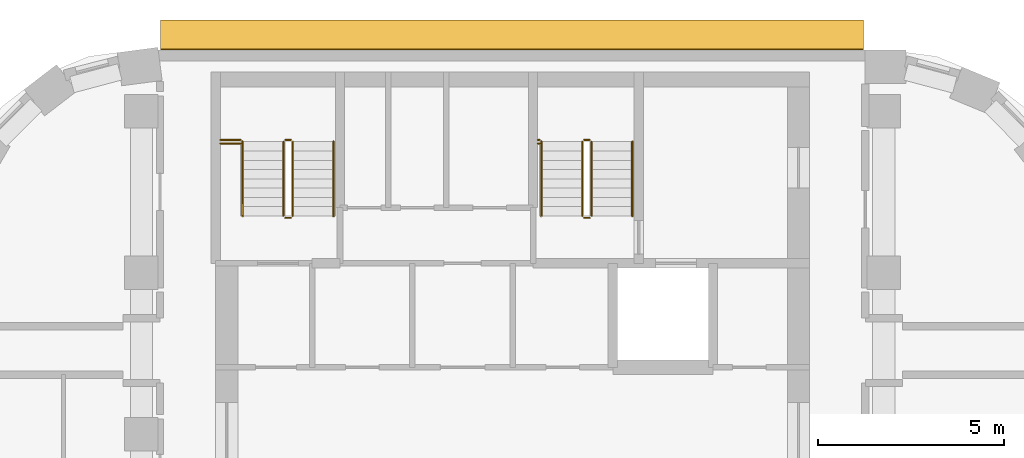
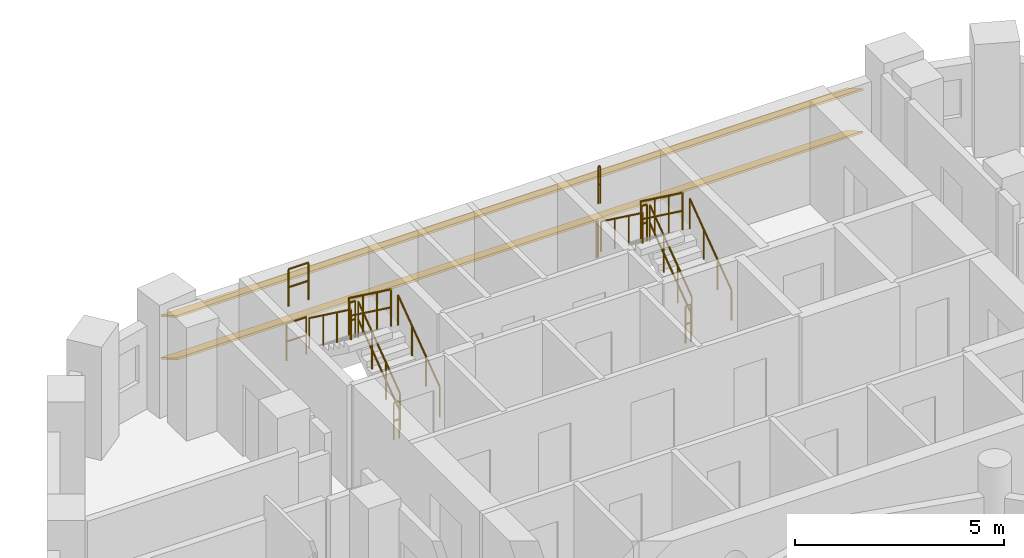
# One storey, part 13 of 13: 16 railings, 2 shading devices.
"""IFC4 building model written with IfcOpenShell, lengths in metres."""

from ifc_helpers import new_model, si_unit, direction, frame, origin, origin_2d, place, context, subcontext, project, spatial, rectangle, circle, extrude, material, material_profile, profile_set, type_object, element, save


model = new_model("IFC4")

# Units and contexts
model_context = context("Model", 3, precision=1e-05, world=origin(), true_north=direction((0.0, 1.0)))
body_context = subcontext(model_context, "Body", "Model", "MODEL_VIEW")
ifc_project = project(units=[si_unit("LENGTHUNIT", "METRE"), si_unit("AREAUNIT", "SQUARE_METRE"), si_unit("VOLUMEUNIT", "CUBIC_METRE"), si_unit("PLANEANGLEUNIT", "RADIAN"), si_unit("MASSUNIT", "GRAM", prefix="KILO")], contexts=[model_context])

# Site, building, storey
site_placement = place(None, origin())
site = spatial("IfcSite", under=ifc_project, at=site_placement, CompositionType="ELEMENT")
building_placement = place(site_placement, origin())
building = spatial("IfcBuilding", under=site, at=building_placement, Name="Nakaniwa Court", CompositionType="ELEMENT")
storey_placement = place(building_placement, frame((0.0, 0.0, 239.39990234375)))
storey = spatial("IfcBuildingStorey", under=building, at=storey_placement, Name="L62", CompositionType="ELEMENT", Elevation=239.39990234375)

# Shading devices
ifc_material_1 = material(Name="Perforated charcoal ceramic louvre blade")
ifc_material_profile = material_profile(ifc_material_1, rectangle(XDim=0.89990234375, YDim=0.050048828125, at=origin_2d()), Name="Perforated ceramic louvre blade")
ifc_profile_set = profile_set([ifc_material_profile], Name="Perforated charcoal ceramic louvre blade")
shading_device_type = type_object("IfcShadingDeviceType", Name="Perforated ceramic louvre blade", PredefinedType="JALOUSIE", material=ifc_profile_set)
for number, where, z_axis, x_axis, name in (
    (1, (89.44921875, 103.05224609375, 0.550048828125), (-1.0, 0.0, 0.0), (0.0, -0.866025403784, 0.5), "L62 perforated ceramic louvre blade w08 1"),
    (2, (89.44921875, 103.05224609375, 1.79345703125), (-1.0, 0.0, 0.0), (0.0, -0.866025403784, 0.5), "L62 perforated ceramic louvre blade w08 2"),
):
    element("IfcShadingDevice", number, at=place(storey_placement, frame(where, z_axis=z_axis, x_axis=x_axis)), inside=storey, type_object=shading_device_type, Name=name, PredefinedType="JALOUSIE", context=body_context, shape_type="SweptSolid", body=[
        extrude(rectangle(XDim=0.89990234375, YDim=0.050048828125, at=origin_2d()), origin(), (0.0, 0.0, 1.0), 18.933349609375),
    ])

# Railings
ifc_material_2 = material(Name="Black powder coated steel guard", Category="steel")
railing_type_1 = type_object("IfcRailingType", Name="Stair guard 1100", PredefinedType="GUARDRAIL", material=ifc_material_2)
railing_1_placement = place(storey_placement, frame((74.074951171875, 98.175048828125, 0.183349609375)))
element("IfcRailing", 3, at=railing_1_placement, inside=storey, type_object=railing_type_1, Name="L62 ST1 stair guard 1", PredefinedType="GUARDRAIL", context=body_context, shape_type="SweptSolid", body=[
    extrude(circle(Radius=0.02392578125, at=origin_2d()), frame((0.0, 0.0, 1.076171875), z_axis=(0.0, 0.806379959628, 0.591397802423), x_axis=(-1.0, 0.0, 0.0)), (0.0, 0.0, 1.0), 2.480224609375),
    extrude(circle(Radius=0.02392578125, at=origin_2d()), frame((0.0, 0.0, 0.550048828125), z_axis=(0.0, 0.806379959628, 0.591397802423), x_axis=(-1.0, 0.0, 0.0)), (0.0, 0.0, 1.0), 2.480224609375),
    extrude(circle(Radius=0.02099609375, at=origin_2d()), origin(), (0.0, 0.0, 1.0), 1.052001953125),
    extrude(circle(Radius=0.02099609375, at=origin_2d()), frame((0.0, 0.666748046875, 0.489013671875)), (0.0, 0.0, 1.0), 1.052001953125),
    extrude(circle(Radius=0.02099609375, at=origin_2d()), frame((0.0, 1.333251953125, 0.977783203125)), (0.0, 0.0, 1.0), 1.052001953125),
    extrude(circle(Radius=0.02099609375, at=origin_2d()), frame((0.0, 2.0, 1.466796875)), (0.0, 0.0, 1.0), 1.052001953125),
])
railing_2_placement = place(storey_placement, frame((74.02490234375, 100.22509765625, 1.650146484375)))
element("IfcRailing", 4, at=railing_2_placement, inside=storey, type_object=railing_type_1, Name="L62 ST1 stair guard 2", PredefinedType="GUARDRAIL", context=body_context, shape_type="SweptSolid", body=[
    extrude(circle(Radius=0.02392578125, at=origin_2d()), frame((0.0, 0.0, 1.076171875), z_axis=(-1.0, 0.0, 0.0), x_axis=(0.0, -1.0, 0.0)), (0.0, 0.0, 1.0), 0.14990234375),
    extrude(circle(Radius=0.02392578125, at=origin_2d()), frame((0.0, 0.0, 0.550048828125), z_axis=(-1.0, 0.0, 0.0), x_axis=(0.0, -1.0, 0.0)), (0.0, 0.0, 1.0), 0.14990234375),
    extrude(circle(Radius=0.02099609375, at=origin_2d()), origin(), (0.0, 0.0, 1.0), 1.052001953125),
    extrude(circle(Radius=0.02099609375, at=origin_2d()), frame((-0.14990234375, 0.0, 0.0)), (0.0, 0.0, 1.0), 1.052001953125),
])
railing_3_placement = place(storey_placement, frame((73.824951171875, 100.175048828125, 1.83349609375)))
element("IfcRailing", 5, at=railing_3_placement, inside=storey, type_object=railing_type_1, Name="L62 ST1 stair guard 3", PredefinedType="GUARDRAIL", context=body_context, shape_type="SweptSolid", body=[
    extrude(circle(Radius=0.02392578125, at=origin_2d()), frame((0.0, 0.0, 1.076171875), z_axis=(0.0, -0.806426902644, 0.591333789573), x_axis=(1.0, 0.0, 0.0)), (0.0, 0.0, 1.0), 2.47998046875),
    extrude(circle(Radius=0.02392578125, at=origin_2d()), frame((0.0, 0.0, 0.550048828125), z_axis=(0.0, -0.806426902644, 0.591333789573), x_axis=(1.0, 0.0, 0.0)), (0.0, 0.0, 1.0), 2.47998046875),
    extrude(circle(Radius=0.02099609375, at=origin_2d()), origin(), (0.0, 0.0, 1.0), 1.052001953125),
    extrude(circle(Radius=0.02099609375, at=origin_2d()), frame((0.0, -0.666748046875, 0.48876953125)), (0.0, 0.0, 1.0), 1.052001953125),
    extrude(circle(Radius=0.02099609375, at=origin_2d()), frame((0.0, -1.333251953125, 0.977783203125)), (0.0, 0.0, 1.0), 1.052001953125),
    extrude(circle(Radius=0.02099609375, at=origin_2d()), frame((0.0, -2.0, 1.466552734375)), (0.0, 0.0, 1.0), 1.052001953125),
])
railing_4_placement = place(storey_placement, frame((74.02490234375, 98.125, 0.0)))
element("IfcRailing", 6, at=railing_4_placement, inside=storey, type_object=railing_type_1, Name="L62 ST1 stair guard 4", PredefinedType="GUARDRAIL", context=body_context, shape_type="SweptSolid", body=[
    extrude(circle(Radius=0.02392578125, at=origin_2d()), frame((0.0, 0.0, 1.076171875), z_axis=(-1.0, 0.0, 0.0), x_axis=(0.0, -1.0, 0.0)), (0.0, 0.0, 1.0), 0.14990234375),
    extrude(circle(Radius=0.02392578125, at=origin_2d()), frame((0.0, 0.0, 0.550048828125), z_axis=(-1.0, 0.0, 0.0), x_axis=(0.0, -1.0, 0.0)), (0.0, 0.0, 1.0), 0.14990234375),
    extrude(circle(Radius=0.02099609375, at=origin_2d()), origin(), (0.0, 0.0, 1.0), 1.052001953125),
    extrude(circle(Radius=0.02099609375, at=origin_2d()), frame((-0.14990234375, 0.0, 0.0)), (0.0, 0.0, 1.0), 1.052001953125),
])
for number, where, name in (
    (7, (72.125, 100.22509765625, 1.650146484375), "L62 ST1 landing side guard 1W"),
    (8, (72.125, 100.125, 3.300048828125), "L62 ST1 floor edge guard 1W"),
):
    element("IfcRailing", number, at=place(storey_placement, frame(where)), inside=storey, type_object=railing_type_1, Name=name, PredefinedType="GUARDRAIL", context=body_context, shape_type="SweptSolid", body=[
        extrude(circle(Radius=0.02392578125, at=origin_2d()), frame((0.0, 0.0, 1.076171875), z_axis=(1.0, 0.0, 0.0), x_axis=(0.0, 1.0, 0.0)), (0.0, 0.0, 1.0), 0.550048828125),
        extrude(circle(Radius=0.02392578125, at=origin_2d()), frame((0.0, 0.0, 0.550048828125), z_axis=(1.0, 0.0, 0.0), x_axis=(0.0, 1.0, 0.0)), (0.0, 0.0, 1.0), 0.550048828125),
        extrude(circle(Radius=0.02099609375, at=origin_2d()), origin(), (0.0, 0.0, 1.0), 1.052001953125),
        extrude(circle(Radius=0.02099609375, at=origin_2d()), frame((0.550048828125, 0.0, 0.0)), (0.0, 0.0, 1.0), 1.052001953125),
    ])
railing_5_placement = place(storey_placement, frame((82.125, 98.175048828125, 0.183349609375)))
element("IfcRailing", 9, at=railing_5_placement, inside=storey, type_object=railing_type_1, Name="L62 ST2 stair guard 1", PredefinedType="GUARDRAIL", context=body_context, shape_type="SweptSolid", body=[
    extrude(circle(Radius=0.02392578125, at=origin_2d()), frame((0.0, 0.0, 1.076171875), z_axis=(0.0, 0.806379959628, 0.591397802423), x_axis=(-1.0, 0.0, 0.0)), (0.0, 0.0, 1.0), 2.480224609375),
    extrude(circle(Radius=0.02392578125, at=origin_2d()), frame((0.0, 0.0, 0.550048828125), z_axis=(0.0, 0.806379959628, 0.591397802423), x_axis=(-1.0, 0.0, 0.0)), (0.0, 0.0, 1.0), 2.480224609375),
    extrude(circle(Radius=0.02099609375, at=origin_2d()), origin(), (0.0, 0.0, 1.0), 1.052001953125),
    extrude(circle(Radius=0.02099609375, at=origin_2d()), frame((0.0, 0.666748046875, 0.489013671875)), (0.0, 0.0, 1.0), 1.052001953125),
    extrude(circle(Radius=0.02099609375, at=origin_2d()), frame((0.0, 1.333251953125, 0.977783203125)), (0.0, 0.0, 1.0), 1.052001953125),
    extrude(circle(Radius=0.02099609375, at=origin_2d()), frame((0.0, 2.0, 1.466796875)), (0.0, 0.0, 1.0), 1.052001953125),
])
railing_6_placement = place(storey_placement, frame((82.074951171875, 100.22509765625, 1.650146484375)))
element("IfcRailing", 10, at=railing_6_placement, inside=storey, type_object=railing_type_1, Name="L62 ST2 stair guard 2", PredefinedType="GUARDRAIL", context=body_context, shape_type="SweptSolid", body=[
    extrude(circle(Radius=0.02392578125, at=origin_2d()), frame((0.0, 0.0, 1.076171875), z_axis=(-1.0, 0.0, 0.0), x_axis=(0.0, -1.0, 0.0)), (0.0, 0.0, 1.0), 0.14990234375),
    extrude(circle(Radius=0.02392578125, at=origin_2d()), frame((0.0, 0.0, 0.550048828125), z_axis=(-1.0, 0.0, 0.0), x_axis=(0.0, -1.0, 0.0)), (0.0, 0.0, 1.0), 0.14990234375),
    extrude(circle(Radius=0.02099609375, at=origin_2d()), origin(), (0.0, 0.0, 1.0), 1.052001953125),
    extrude(circle(Radius=0.02099609375, at=origin_2d()), frame((-0.14990234375, 0.0, 0.0)), (0.0, 0.0, 1.0), 1.052001953125),
])
railing_7_placement = place(storey_placement, frame((81.875, 100.175048828125, 1.83349609375)))
element("IfcRailing", 11, at=railing_7_placement, inside=storey, type_object=railing_type_1, Name="L62 ST2 stair guard 3", PredefinedType="GUARDRAIL", context=body_context, shape_type="SweptSolid", body=[
    extrude(circle(Radius=0.02392578125, at=origin_2d()), frame((0.0, 0.0, 1.076171875), z_axis=(0.0, -0.806426902644, 0.591333789573), x_axis=(1.0, 0.0, 0.0)), (0.0, 0.0, 1.0), 2.47998046875),
    extrude(circle(Radius=0.02392578125, at=origin_2d()), frame((0.0, 0.0, 0.550048828125), z_axis=(0.0, -0.806426902644, 0.591333789573), x_axis=(1.0, 0.0, 0.0)), (0.0, 0.0, 1.0), 2.47998046875),
    extrude(circle(Radius=0.02099609375, at=origin_2d()), origin(), (0.0, 0.0, 1.0), 1.052001953125),
    extrude(circle(Radius=0.02099609375, at=origin_2d()), frame((0.0, -0.666748046875, 0.48876953125)), (0.0, 0.0, 1.0), 1.052001953125),
    extrude(circle(Radius=0.02099609375, at=origin_2d()), frame((0.0, -1.333251953125, 0.977783203125)), (0.0, 0.0, 1.0), 1.052001953125),
    extrude(circle(Radius=0.02099609375, at=origin_2d()), frame((0.0, -2.0, 1.466552734375)), (0.0, 0.0, 1.0), 1.052001953125),
])
railing_8_placement = place(storey_placement, frame((82.074951171875, 98.125, 0.0)))
element("IfcRailing", 12, at=railing_8_placement, inside=storey, type_object=railing_type_1, Name="L62 ST2 stair guard 4", PredefinedType="GUARDRAIL", context=body_context, shape_type="SweptSolid", body=[
    extrude(circle(Radius=0.02392578125, at=origin_2d()), frame((0.0, 0.0, 1.076171875), z_axis=(-1.0, 0.0, 0.0), x_axis=(0.0, -1.0, 0.0)), (0.0, 0.0, 1.0), 0.14990234375),
    extrude(circle(Radius=0.02392578125, at=origin_2d()), frame((0.0, 0.0, 0.550048828125), z_axis=(-1.0, 0.0, 0.0), x_axis=(0.0, -1.0, 0.0)), (0.0, 0.0, 1.0), 0.14990234375),
    extrude(circle(Radius=0.02099609375, at=origin_2d()), origin(), (0.0, 0.0, 1.0), 1.052001953125),
    extrude(circle(Radius=0.02099609375, at=origin_2d()), frame((-0.14990234375, 0.0, 0.0)), (0.0, 0.0, 1.0), 1.052001953125),
])
for number, where, name in (
    (13, (80.675048828125, 100.22509765625, 1.650146484375), "L62 ST2 landing side guard 1W"),
    (14, (80.675048828125, 100.125, 3.300048828125), "L62 ST2 floor edge guard 1W"),
):
    element("IfcRailing", number, at=place(storey_placement, frame(where)), inside=storey, type_object=railing_type_1, Name=name, PredefinedType="GUARDRAIL", context=body_context, shape_type="SweptSolid", body=[
        extrude(circle(Radius=0.02392578125, at=origin_2d()), frame((0.0, 0.0, 1.076171875), z_axis=(1.0, 0.0, 0.0), x_axis=(0.0, 1.0, 0.0)), (0.0, 0.0, 1.0), 0.050048828125),
        extrude(circle(Radius=0.02392578125, at=origin_2d()), frame((0.0, 0.0, 0.550048828125), z_axis=(1.0, 0.0, 0.0), x_axis=(0.0, 1.0, 0.0)), (0.0, 0.0, 1.0), 0.050048828125),
        extrude(circle(Radius=0.02099609375, at=origin_2d()), origin(), (0.0, 0.0, 1.0), 1.052001953125),
        extrude(circle(Radius=0.02099609375, at=origin_2d()), frame((0.050048828125, 0.0, 0.0)), (0.0, 0.0, 1.0), 1.052001953125),
    ])
ifc_material_3 = material(Name="Black powder coated steel handrail", Category="steel")
railing_type_2 = type_object("IfcRailingType", Name="Stair handrail 900", PredefinedType="HANDRAIL", material=ifc_material_3)
railing_9_placement = place(storey_placement, frame((75.175048828125, 98.175048828125, 0.183349609375)))
element("IfcRailing", 15, at=railing_9_placement, inside=storey, type_object=railing_type_2, Name="L62 ST1 stair handrail 1", PredefinedType="HANDRAIL", context=body_context, shape_type="SweptSolid", body=[
    extrude(circle(Radius=0.02392578125, at=origin_2d()), frame((0.0, 0.0, 0.8759765625), z_axis=(0.0, 0.806379959628, 0.591397802423), x_axis=(-1.0, 0.0, 0.0)), (0.0, 0.0, 1.0), 2.480224609375),
    extrude(circle(Radius=0.02099609375, at=origin_2d()), origin(), (0.0, 0.0, 1.0), 0.851806640625),
    extrude(circle(Radius=0.02099609375, at=origin_2d()), frame((0.0, 0.666748046875, 0.489013671875)), (0.0, 0.0, 1.0), 0.851806640625),
    extrude(circle(Radius=0.02099609375, at=origin_2d()), frame((0.0, 1.333251953125, 0.977783203125)), (0.0, 0.0, 1.0), 0.851806640625),
    extrude(circle(Radius=0.02099609375, at=origin_2d()), frame((0.0, 2.0, 1.466796875)), (0.0, 0.0, 1.0), 0.851806640625),
])
railing_10_placement = place(storey_placement, frame((72.72509765625, 100.175048828125, 1.83349609375)))
element("IfcRailing", 16, at=railing_10_placement, inside=storey, type_object=railing_type_2, Name="L62 ST1 stair handrail 2", PredefinedType="HANDRAIL", context=body_context, shape_type="SweptSolid", body=[
    extrude(circle(Radius=0.02392578125, at=origin_2d()), frame((0.0, 0.0, 0.8759765625), z_axis=(0.0, -0.806426902644, 0.591333789573), x_axis=(1.0, 0.0, 0.0)), (0.0, 0.0, 1.0), 2.47998046875),
    extrude(circle(Radius=0.02099609375, at=origin_2d()), origin(), (0.0, 0.0, 1.0), 0.851806640625),
    extrude(circle(Radius=0.02099609375, at=origin_2d()), frame((0.0, -0.666748046875, 0.48876953125)), (0.0, 0.0, 1.0), 0.851806640625),
    extrude(circle(Radius=0.02099609375, at=origin_2d()), frame((0.0, -1.333251953125, 0.977783203125)), (0.0, 0.0, 1.0), 0.851806640625),
    extrude(circle(Radius=0.02099609375, at=origin_2d()), frame((0.0, -2.0, 1.466552734375)), (0.0, 0.0, 1.0), 0.851806640625),
])
railing_11_placement = place(storey_placement, frame((83.22509765625, 98.175048828125, 0.183349609375)))
element("IfcRailing", 17, at=railing_11_placement, inside=storey, type_object=railing_type_2, Name="L62 ST2 stair handrail 1", PredefinedType="HANDRAIL", context=body_context, shape_type="SweptSolid", body=[
    extrude(circle(Radius=0.02392578125, at=origin_2d()), frame((0.0, 0.0, 0.8759765625), z_axis=(0.0, 0.806379959628, 0.591397802423), x_axis=(-1.0, 0.0, 0.0)), (0.0, 0.0, 1.0), 2.480224609375),
    extrude(circle(Radius=0.02099609375, at=origin_2d()), origin(), (0.0, 0.0, 1.0), 0.851806640625),
    extrude(circle(Radius=0.02099609375, at=origin_2d()), frame((0.0, 0.666748046875, 0.489013671875)), (0.0, 0.0, 1.0), 0.851806640625),
    extrude(circle(Radius=0.02099609375, at=origin_2d()), frame((0.0, 1.333251953125, 0.977783203125)), (0.0, 0.0, 1.0), 0.851806640625),
    extrude(circle(Radius=0.02099609375, at=origin_2d()), frame((0.0, 2.0, 1.466796875)), (0.0, 0.0, 1.0), 0.851806640625),
])
railing_12_placement = place(storey_placement, frame((80.77490234375, 100.175048828125, 1.83349609375)))
element("IfcRailing", 18, at=railing_12_placement, inside=storey, type_object=railing_type_2, Name="L62 ST2 stair handrail 2", PredefinedType="HANDRAIL", context=body_context, shape_type="SweptSolid", body=[
    extrude(circle(Radius=0.02392578125, at=origin_2d()), frame((0.0, 0.0, 0.8759765625), z_axis=(0.0, -0.806426902644, 0.591333789573), x_axis=(1.0, 0.0, 0.0)), (0.0, 0.0, 1.0), 2.47998046875),
    extrude(circle(Radius=0.02099609375, at=origin_2d()), origin(), (0.0, 0.0, 1.0), 0.851806640625),
    extrude(circle(Radius=0.02099609375, at=origin_2d()), frame((0.0, -0.666748046875, 0.48876953125)), (0.0, 0.0, 1.0), 0.851806640625),
    extrude(circle(Radius=0.02099609375, at=origin_2d()), frame((0.0, -1.333251953125, 0.977783203125)), (0.0, 0.0, 1.0), 0.851806640625),
    extrude(circle(Radius=0.02099609375, at=origin_2d()), frame((0.0, -2.0, 1.466552734375)), (0.0, 0.0, 1.0), 0.851806640625),
])

save(model, "model.ifc")
